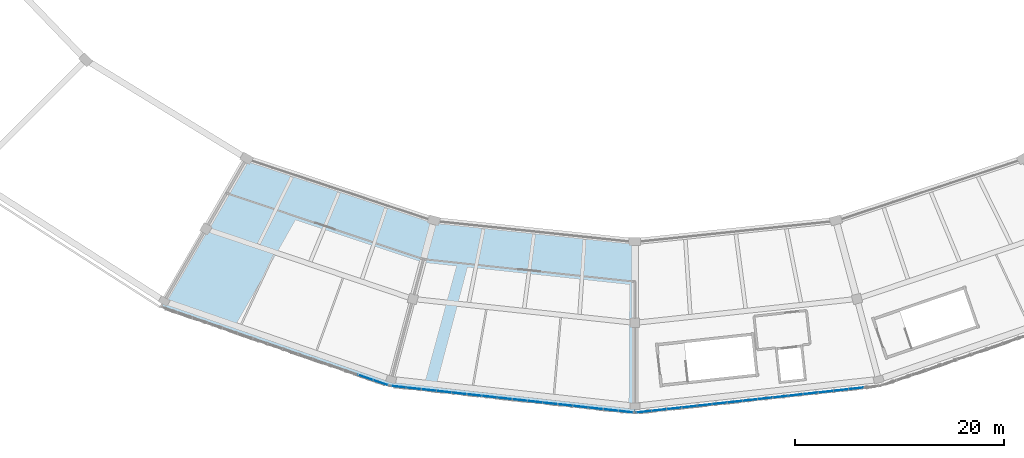
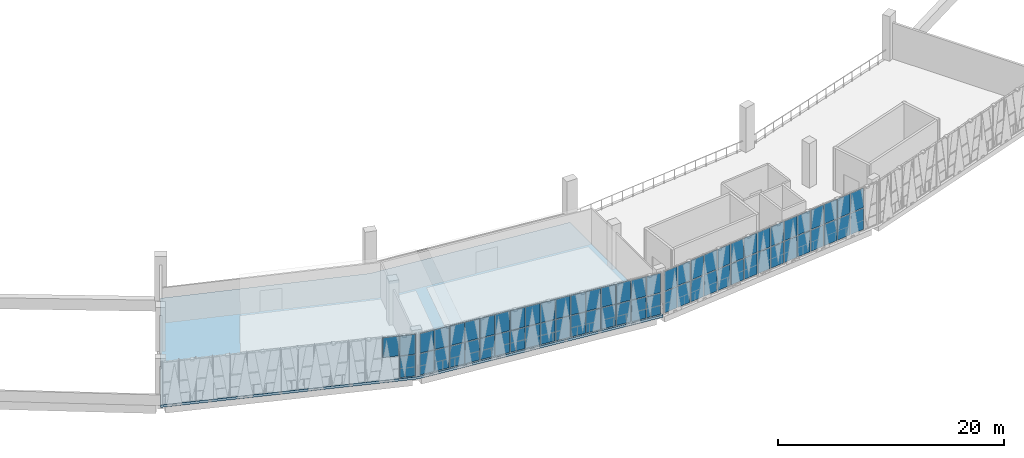
# One storey, part 34 of 64: 65 plates, 1 slab, 3 elements without a shape of their own.
"""IFC4 building model written with IfcOpenShell, lengths in metres."""

import ifcopenshell
import ifcopenshell.guid

model = None  # the IFC model being written
_history = None  # IfcOwnerHistory: only IFC2X3 demands one
_inside = {}  # id of a spatial element -> (the spatial element, [elements in it])
_under = {}  # id of a project, library or spatial element -> (it, [spatial elements below it])
_declared = {}  # id of a project -> (the project, [libraries it declares])
_typed = {}  # id of a type object -> (the type object, [elements of that type])
_made_of = {}  # id of a material, layer set ... -> (it, [elements and type objects made of it])


def new_model(schema):
    """Start an empty IFC model of exactly this schema.

    Asked for "IFC4X3", IfcOpenShell would pick the latest addendum, in which some entities
    have other attributes; the version numbers below select the first issue.
    IFC2X3 requires an IfcOwnerHistory on every rooted entity: one is made here for all.
    """
    global model, _history
    if schema == "IFC4X3":
        model = ifcopenshell.file(schema_version=(4, 3, 0, 0))
    else:
        model = ifcopenshell.file(schema=schema)
    _inside.clear()
    _under.clear()
    _declared.clear()
    _typed.clear()
    _made_of.clear()
    _history = None
    if model.schema == "IFC2X3":
        org = make("IfcOrganization", Name="unknown")
        user = make(
            "IfcPersonAndOrganization",
            ThePerson=make("IfcPerson", FamilyName="unknown"),
            TheOrganization=org,
        )
        app = make(
            "IfcApplication",
            ApplicationDeveloper=org,
            Version="unknown",
            ApplicationFullName="unknown",
            ApplicationIdentifier="unknown",
        )
        _history = make(
            "IfcOwnerHistory",
            OwningUser=user,
            OwningApplication=app,
            ChangeAction="ADDED",
            CreationDate=0,
        )
    return model


def make(cls, **values):
    """One entity of the class cls with the attributes given. An attribute that is None is left unset."""
    return model.create_entity(
        cls, **{name: value for name, value in values.items() if value is not None}
    )


def rooted(cls, **values):
    """An entity with a GlobalId (a new one), such as an element, a storey or a relation."""
    return make(cls, GlobalId=ifcopenshell.guid.new(), OwnerHistory=_history, **values)


def si_unit(unit_type, name, prefix=None):
    """IfcSIUnit, for example si_unit("LENGTHUNIT", "METRE", prefix="MILLI")."""
    return make("IfcSIUnit", UnitType=unit_type, Prefix=prefix, Name=name)


def assignment(units):
    """IfcUnitAssignment: the units of a project."""
    return None if units is None else make("IfcUnitAssignment", Units=units)


def point(xyz):
    """IfcCartesianPoint."""
    return None if xyz is None else make("IfcCartesianPoint", Coordinates=xyz)


def direction(xyz):
    """IfcDirection."""
    return None if xyz is None else make("IfcDirection", DirectionRatios=xyz)


def frame(location, z_axis=None, x_axis=None):
    """IfcAxis2Placement3D, a coordinate frame: its origin and axes. An axis left out is left unset."""
    return make(
        "IfcAxis2Placement3D",
        Location=point(location),
        Axis=direction(z_axis),
        RefDirection=direction(x_axis),
    )


def frame_2d(location, x_axis=None):
    """IfcAxis2Placement2D, a coordinate frame in the plane: its origin and x axis."""
    return make(
        "IfcAxis2Placement2D", Location=point(location), RefDirection=direction(x_axis)
    )


def origin():
    """The frame at (0, 0, 0) with its axes left unset."""
    return frame((0.0, 0.0, 0.0))


def origin_2d():
    """The frame at (0, 0) in the plane with its x axis left unset."""
    return frame_2d((0.0, 0.0))


def place(relative_to, where):
    """IfcLocalPlacement: puts the frame where relative to a parent placement (None: the world)."""
    return make(
        "IfcLocalPlacement", PlacementRelTo=relative_to, RelativePlacement=where
    )


def context(
    kind, dimensions, precision=None, world=None, true_north=None, identifier=None
):
    """IfcGeometricRepresentationContext, for example the 3D "Model" context."""
    return make(
        "IfcGeometricRepresentationContext",
        ContextIdentifier=identifier,
        ContextType=kind,
        CoordinateSpaceDimension=dimensions,
        Precision=precision,
        WorldCoordinateSystem=world,
        TrueNorth=true_north,
    )


def subcontext(parent, identifier, kind, view, scale=None):
    """IfcGeometricRepresentationSubContext, for example "Body" below "Model"."""
    return make(
        "IfcGeometricRepresentationSubContext",
        ContextIdentifier=identifier,
        ContextType=kind,
        ParentContext=parent,
        TargetScale=scale,
        TargetView=view,
    )


def project(units=None, contexts=None):
    """IfcProject with its units and contexts."""
    return rooted(
        "IfcProject",
        Name="project",
        RepresentationContexts=contexts,
        UnitsInContext=assignment(units),
    )


def spatial(cls, under=None, at=None, **own):
    """A site, building, storey or space (cls), placed at a placement, below another one or the project."""
    s = rooted(cls, ObjectPlacement=at, **own)
    if under is not None:
        _under.setdefault(under.id(), (under, []))[1].append(s)
    return s


def polyline(points):
    """IfcPolyline through the points."""
    return make("IfcPolyline", Points=[point(p) for p in points])


def profile(cls, at=None, kind="AREA", **sizes):
    """A parametric profile (cls). Its sizes go by their IFC names, for example OverallWidth=200.0."""
    return make(cls, ProfileType=kind, Position=at, **sizes)


def rectangle(**sizes):
    """IfcRectangleProfileDef."""
    return profile("IfcRectangleProfileDef", **sizes)


def outline(outer, holes=None, kind="AREA"):
    """IfcArbitraryClosedProfileDef: a profile drawn as a closed curve; with holes, ...WithVoids."""
    if holes is None:
        return make("IfcArbitraryClosedProfileDef", ProfileType=kind, OuterCurve=outer)
    return make(
        "IfcArbitraryProfileDefWithVoids",
        ProfileType=kind,
        OuterCurve=outer,
        InnerCurves=holes,
    )


def extrude(swept, where, along, depth):
    """IfcExtrudedAreaSolid: the profile swept, set in the frame where, extruded along a direction by depth."""
    return make(
        "IfcExtrudedAreaSolid",
        SweptArea=swept,
        Position=where,
        ExtrudedDirection=direction(along),
        Depth=depth,
    )


def shape(context_of_items, identifier, shape_type, items):
    """IfcShapeRepresentation: the items that make up one representation, for example the "Body"."""
    return make(
        "IfcShapeRepresentation",
        ContextOfItems=context_of_items,
        RepresentationIdentifier=identifier,
        RepresentationType=shape_type,
        Items=items,
    )


def material(Name=None, Category=None):
    """IfcMaterial."""
    return make("IfcMaterial", Name=Name, Category=Category)


def layer(
    of_material, thickness, ventilated=None, Name=None, Category=None, Priority=None
):
    """IfcMaterialLayer: one layer of a wall or slab, of a material (None: an air gap)."""
    return make(
        "IfcMaterialLayer",
        Material=of_material,
        LayerThickness=thickness,
        IsVentilated=ventilated,
        Name=Name,
        Category=Category,
        Priority=Priority,
    )


def layer_set(layers, Name=None):
    """IfcMaterialLayerSet."""
    return make("IfcMaterialLayerSet", MaterialLayers=layers, LayerSetName=Name)


def made_of(thing, what):
    """Note that an element or type object is made of a material, layer set ...; save() writes the relation."""
    if what is not None:
        _made_of.setdefault(what.id(), (what, []))[1].append(thing)
    return thing


def type_object(cls, material=None, **own):
    """A type object (cls), such as IfcWallType, which elements share."""
    return made_of(rooted(cls, **own), material)


def element(
    cls,
    number,
    at=None,
    inside=None,
    cuts=None,
    type_object=None,
    material=None,
    context=None,
    identifier="Body",
    shape_type=None,
    held_by="IfcProductDefinitionShape",
    body=None,
    shapes=None,
    **own,
):
    """One element of the class cls, such as IfcWall. Its Tag is "e" and its number.

    at: its placement. inside: the storey or other place that contains it. cuts: it is an
    opening in that element (IfcRelVoidsElement). A single representation is given by context,
    identifier, shape_type and body (its items); several are given by shapes. held_by: the class
    of the entity that holds the representations. save() writes the other relations.
    """
    e = rooted(cls, Tag="e%d" % number, ObjectPlacement=at, **own)
    if body is not None:
        shapes = [shape(context, identifier, shape_type, body)]
    if shapes is not None:
        e.Representation = make(held_by, Representations=shapes)
    if inside is not None:
        _inside.setdefault(inside.id(), (inside, []))[1].append(e)
    if cuts is not None:
        rooted(
            "IfcRelVoidsElement", RelatingBuildingElement=cuts, RelatedOpeningElement=e
        )
    if type_object is not None:
        _typed.setdefault(type_object.id(), (type_object, []))[1].append(e)
    return made_of(e, material)


def aggregate(whole, parts):
    """IfcRelAggregates: a whole, such as a stair, and the parts it consists of."""
    return rooted("IfcRelAggregates", RelatingObject=whole, RelatedObjects=parts)


def save(model, path):
    """Write the relations noted so far, then the file.

    IfcRelAggregates (storeys below a building ...), IfcRelContainedInSpatialStructure (elements
    in a storey), IfcRelDefinesByType, IfcRelAssociatesMaterial and IfcRelDeclares: one each for
    every whole, place, type object, material and project.
    """
    for whole, parts in _under.values():
        aggregate(whole, parts)
    for where, things in _inside.values():
        rooted(
            "IfcRelContainedInSpatialStructure",
            RelatedElements=things,
            RelatingStructure=where,
        )
    for kind, things in _typed.values():
        rooted("IfcRelDefinesByType", RelatedObjects=things, RelatingType=kind)
    for what, things in _made_of.values():
        rooted("IfcRelAssociatesMaterial", RelatedObjects=things, RelatingMaterial=what)
    for by, libraries in _declared.values():
        rooted("IfcRelDeclares", RelatingContext=by, RelatedDefinitions=libraries)
    model.write(path)


model = new_model("IFC4")

# Units and contexts
model_context = context("Model", 3, precision=1e-05, world=origin(), true_north=direction((0.0, 1.0)))
body_context = subcontext(model_context, "Body", "Model", "MODEL_VIEW")
ifc_project = project(units=[si_unit("LENGTHUNIT", "METRE"), si_unit("AREAUNIT", "SQUARE_METRE"), si_unit("VOLUMEUNIT", "CUBIC_METRE"), si_unit("PLANEANGLEUNIT", "RADIAN"), si_unit("MASSUNIT", "GRAM", prefix="KILO")], contexts=[model_context])

# Site, building, storey
site_placement = place(None, origin())
site = spatial("IfcSite", under=ifc_project, at=site_placement, CompositionType="ELEMENT")
building_placement = place(site_placement, origin())
building = spatial("IfcBuilding", under=site, at=building_placement, Name="Zevraka Park Crest Stadium", CompositionType="ELEMENT")
storey_placement = place(building_placement, frame((0.0, 0.0, 24.60009765625)))
storey = spatial("IfcBuildingStorey", under=building, at=storey_placement, Name="L05", CompositionType="ELEMENT", Elevation=24.60009765625)

# Curtain wall, plates
ifc_material_1 = material(Name="Anodised architectural aluminium and laminated safety glass", Category="aluminium")
curtain_wall_type_1 = type_object("IfcCurtainWallType", Name="CW21", PredefinedType="NOTDEFINED", material=ifc_material_1)
curtain_wall_1_placement = place(storey_placement, origin())
curtain_wall_1 = element("IfcCurtainWall", 1, at=curtain_wall_1_placement, inside=storey, type_object=curtain_wall_type_1, Name="Unitised Ring Curtain Wall CW21 L05-17", PredefinedType="NOTDEFINED")
ifc_material_2 = material(Name="Solar-control laminated double glazing", Category="glass")
ifc_layer_1 = layer(ifc_material_2, 0.031982421875)
ifc_layer_set_1 = layer_set([ifc_layer_1], Name="Solar-control laminated double glazing")
plate_type_1 = type_object("IfcPlateType", Name="CP21", PredefinedType="CURTAIN_PANEL", material=ifc_layer_set_1)
plate_1_placement = place(storey_placement, frame((89.33984375, 18.572021484375, 0.06982421875), z_axis=(0.0, 0.0, 1.0), x_axis=(0.994010156572, -0.109287733215, 0.0)))
plate_1 = element("IfcPlate", 2, at=plate_1_placement, type_object=plate_type_1, Name="CW21 panel 1.1", PredefinedType="CURTAIN_PANEL", context=body_context, shape_type="SweptSolid", body=[
    extrude(rectangle(XDim=1.3583984375, YDim=0.031982421875, at=origin_2d()), origin(), (0.0, 0.0, 1.0), 2.294921875),
])
plate_2_placement = place(storey_placement, frame((89.33984375, 18.572021484375, 2.43505859375), z_axis=(0.0, 0.0, 1.0), x_axis=(0.994010156572, -0.109287733215, 0.0)))
plate_2 = element("IfcPlate", 3, at=plate_2_placement, type_object=plate_type_1, Name="CW21 panel 1.2", PredefinedType="CURTAIN_PANEL", context=body_context, shape_type="SweptSolid", body=[
    extrude(rectangle(XDim=1.3583984375, YDim=0.031982421875, at=origin_2d()), origin(), (0.0, 0.0, 1.0), 2.114990234375),
])
plate_3_placement = place(storey_placement, frame((90.777099609375, 18.4140625, 0.06982421875), z_axis=(0.0, 0.0, 1.0), x_axis=(0.994010156572, -0.109287733215, 0.0)))
plate_3 = element("IfcPlate", 4, at=plate_3_placement, type_object=plate_type_1, Name="CW21 panel 2.1", PredefinedType="CURTAIN_PANEL", context=body_context, shape_type="SweptSolid", body=[
    extrude(rectangle(XDim=1.3935546875, YDim=0.031982421875, at=origin_2d()), origin(), (0.0, 0.0, 1.0), 2.294921875),
])
plate_4_placement = place(storey_placement, frame((90.777099609375, 18.4140625, 2.43505859375), z_axis=(0.0, 0.0, 1.0), x_axis=(0.994010156572, -0.109287733215, 0.0)))
plate_4 = element("IfcPlate", 5, at=plate_4_placement, type_object=plate_type_1, Name="CW21 panel 2.2", PredefinedType="CURTAIN_PANEL", context=body_context, shape_type="SweptSolid", body=[
    extrude(rectangle(XDim=1.3935546875, YDim=0.031982421875, at=origin_2d()), origin(), (0.0, 0.0, 1.0), 2.114990234375),
])
plate_5_placement = place(storey_placement, frame((92.231689453125, 18.254150390625, 0.06982421875), z_axis=(0.0, 0.0, 1.0), x_axis=(0.994010156572, -0.109287733215, 0.0)))
plate_5 = element("IfcPlate", 6, at=plate_5_placement, type_object=plate_type_1, Name="CW21 panel 3.1", PredefinedType="CURTAIN_PANEL", context=body_context, shape_type="SweptSolid", body=[
    extrude(rectangle(XDim=1.3935546875, YDim=0.031982421875, at=origin_2d()), origin(), (0.0, 0.0, 1.0), 2.294921875),
])
plate_6_placement = place(storey_placement, frame((92.231689453125, 18.254150390625, 2.43505859375), z_axis=(0.0, 0.0, 1.0), x_axis=(0.994010156572, -0.109287733215, 0.0)))
plate_6 = element("IfcPlate", 7, at=plate_6_placement, type_object=plate_type_1, Name="CW21 panel 3.2", PredefinedType="CURTAIN_PANEL", context=body_context, shape_type="SweptSolid", body=[
    extrude(rectangle(XDim=1.3935546875, YDim=0.031982421875, at=origin_2d()), origin(), (0.0, 0.0, 1.0), 2.114990234375),
])
plate_7_placement = place(storey_placement, frame((93.6865234375, 18.09423828125, 0.06982421875), z_axis=(0.0, 0.0, 1.0), x_axis=(0.994010156572, -0.109287733215, 0.0)))
plate_7 = element("IfcPlate", 8, at=plate_7_placement, type_object=plate_type_1, Name="CW21 panel 4.1", PredefinedType="CURTAIN_PANEL", context=body_context, shape_type="SweptSolid", body=[
    extrude(rectangle(XDim=1.3935546875, YDim=0.031982421875, at=origin_2d()), origin(), (0.0, 0.0, 1.0), 2.294921875),
])
plate_8_placement = place(storey_placement, frame((93.6865234375, 18.09423828125, 2.43505859375), z_axis=(0.0, 0.0, 1.0), x_axis=(0.994010156572, -0.109287733215, 0.0)))
plate_8 = element("IfcPlate", 9, at=plate_8_placement, type_object=plate_type_1, Name="CW21 panel 4.2", PredefinedType="CURTAIN_PANEL", context=body_context, shape_type="SweptSolid", body=[
    extrude(rectangle(XDim=1.3935546875, YDim=0.031982421875, at=origin_2d()), origin(), (0.0, 0.0, 1.0), 2.114990234375),
])
plate_9_placement = place(storey_placement, frame((95.14111328125, 17.934326171875, 0.06982421875), z_axis=(0.0, 0.0, 1.0), x_axis=(0.994010156572, -0.109287733215, 0.0)))
plate_9 = element("IfcPlate", 10, at=plate_9_placement, type_object=plate_type_1, Name="CW21 panel 5.1", PredefinedType="CURTAIN_PANEL", context=body_context, shape_type="SweptSolid", body=[
    extrude(rectangle(XDim=1.3935546875, YDim=0.031982421875, at=origin_2d()), origin(), (0.0, 0.0, 1.0), 2.294921875),
])
plate_10_placement = place(storey_placement, frame((95.14111328125, 17.934326171875, 2.43505859375), z_axis=(0.0, 0.0, 1.0), x_axis=(0.994010156572, -0.109287733215, 0.0)))
plate_10 = element("IfcPlate", 11, at=plate_10_placement, type_object=plate_type_1, Name="CW21 panel 5.2", PredefinedType="CURTAIN_PANEL", context=body_context, shape_type="SweptSolid", body=[
    extrude(rectangle(XDim=1.3935546875, YDim=0.031982421875, at=origin_2d()), origin(), (0.0, 0.0, 1.0), 2.114990234375),
])
plate_11_placement = place(storey_placement, frame((96.595703125, 17.7744140625, 0.06982421875), z_axis=(0.0, 0.0, 1.0), x_axis=(0.994010156572, -0.109287733215, 0.0)))
plate_11 = element("IfcPlate", 12, at=plate_11_placement, type_object=plate_type_1, Name="CW21 panel 6.1", PredefinedType="CURTAIN_PANEL", context=body_context, shape_type="SweptSolid", body=[
    extrude(rectangle(XDim=1.3935546875, YDim=0.031982421875, at=origin_2d()), origin(), (0.0, 0.0, 1.0), 2.294921875),
])
plate_12_placement = place(storey_placement, frame((96.595703125, 17.7744140625, 2.43505859375), z_axis=(0.0, 0.0, 1.0), x_axis=(0.994010156572, -0.109287733215, 0.0)))
plate_12 = element("IfcPlate", 13, at=plate_12_placement, type_object=plate_type_1, Name="CW21 panel 6.2", PredefinedType="CURTAIN_PANEL", context=body_context, shape_type="SweptSolid", body=[
    extrude(rectangle(XDim=1.3935546875, YDim=0.031982421875, at=origin_2d()), origin(), (0.0, 0.0, 1.0), 2.114990234375),
])
plate_13_placement = place(storey_placement, frame((98.050537109375, 17.614501953125, 0.06982421875), z_axis=(0.0, 0.0, 1.0), x_axis=(0.994010156572, -0.109287733215, 0.0)))
plate_13 = element("IfcPlate", 14, at=plate_13_placement, type_object=plate_type_1, Name="CW21 panel 7.1", PredefinedType="CURTAIN_PANEL", context=body_context, shape_type="SweptSolid", body=[
    extrude(rectangle(XDim=1.3935546875, YDim=0.031982421875, at=origin_2d()), origin(), (0.0, 0.0, 1.0), 2.294921875),
])
plate_14_placement = place(storey_placement, frame((98.050537109375, 17.614501953125, 2.43505859375), z_axis=(0.0, 0.0, 1.0), x_axis=(0.994010156572, -0.109287733215, 0.0)))
plate_14 = element("IfcPlate", 15, at=plate_14_placement, type_object=plate_type_1, Name="CW21 panel 7.2", PredefinedType="CURTAIN_PANEL", context=body_context, shape_type="SweptSolid", body=[
    extrude(rectangle(XDim=1.3935546875, YDim=0.031982421875, at=origin_2d()), origin(), (0.0, 0.0, 1.0), 2.114990234375),
])
plate_15_placement = place(storey_placement, frame((99.505126953125, 17.45458984375, 0.06982421875), z_axis=(0.0, 0.0, 1.0), x_axis=(0.994010156572, -0.109287733215, 0.0)))
plate_15 = element("IfcPlate", 16, at=plate_15_placement, type_object=plate_type_1, Name="CW21 panel 8.1", PredefinedType="CURTAIN_PANEL", context=body_context, shape_type="SweptSolid", body=[
    extrude(rectangle(XDim=1.3935546875, YDim=0.031982421875, at=origin_2d()), origin(), (0.0, 0.0, 1.0), 2.294921875),
])
plate_16_placement = place(storey_placement, frame((99.505126953125, 17.45458984375, 2.43505859375), z_axis=(0.0, 0.0, 1.0), x_axis=(0.994010156572, -0.109287733215, 0.0)))
plate_16 = element("IfcPlate", 17, at=plate_16_placement, type_object=plate_type_1, Name="CW21 panel 8.2", PredefinedType="CURTAIN_PANEL", context=body_context, shape_type="SweptSolid", body=[
    extrude(rectangle(XDim=1.3935546875, YDim=0.031982421875, at=origin_2d()), origin(), (0.0, 0.0, 1.0), 2.114990234375),
])
plate_17_placement = place(storey_placement, frame((100.9599609375, 17.29443359375, 0.06982421875), z_axis=(0.0, 0.0, 1.0), x_axis=(0.994010156572, -0.109287733215, 0.0)))
plate_17 = element("IfcPlate", 18, at=plate_17_placement, type_object=plate_type_1, Name="CW21 panel 9.1", PredefinedType="CURTAIN_PANEL", context=body_context, shape_type="SweptSolid", body=[
    extrude(rectangle(XDim=1.3935546875, YDim=0.031982421875, at=origin_2d()), origin(), (0.0, 0.0, 1.0), 2.294921875),
])
plate_18_placement = place(storey_placement, frame((100.9599609375, 17.29443359375, 2.43505859375), z_axis=(0.0, 0.0, 1.0), x_axis=(0.994010156572, -0.109287733215, 0.0)))
plate_18 = element("IfcPlate", 19, at=plate_18_placement, type_object=plate_type_1, Name="CW21 panel 9.2", PredefinedType="CURTAIN_PANEL", context=body_context, shape_type="SweptSolid", body=[
    extrude(rectangle(XDim=1.3935546875, YDim=0.031982421875, at=origin_2d()), origin(), (0.0, 0.0, 1.0), 2.114990234375),
])
plate_19_placement = place(storey_placement, frame((102.41455078125, 17.134521484375, 0.06982421875), z_axis=(0.0, 0.0, 1.0), x_axis=(0.994010156572, -0.109287733215, 0.0)))
plate_19 = element("IfcPlate", 20, at=plate_19_placement, type_object=plate_type_1, Name="CW21 panel 10.1", PredefinedType="CURTAIN_PANEL", context=body_context, shape_type="SweptSolid", body=[
    extrude(rectangle(XDim=1.3935546875, YDim=0.031982421875, at=origin_2d()), origin(), (0.0, 0.0, 1.0), 2.294921875),
])
plate_20_placement = place(storey_placement, frame((102.41455078125, 17.134521484375, 2.43505859375), z_axis=(0.0, 0.0, 1.0), x_axis=(0.994010156572, -0.109287733215, 0.0)))
plate_20 = element("IfcPlate", 21, at=plate_20_placement, type_object=plate_type_1, Name="CW21 panel 10.2", PredefinedType="CURTAIN_PANEL", context=body_context, shape_type="SweptSolid", body=[
    extrude(rectangle(XDim=1.3935546875, YDim=0.031982421875, at=origin_2d()), origin(), (0.0, 0.0, 1.0), 2.114990234375),
])
plate_21_placement = place(storey_placement, frame((103.869140625, 16.974609375, 0.06982421875), z_axis=(0.0, 0.0, 1.0), x_axis=(0.994010156572, -0.109287733215, 0.0)))
plate_21 = element("IfcPlate", 22, at=plate_21_placement, type_object=plate_type_1, Name="CW21 panel 11.1", PredefinedType="CURTAIN_PANEL", context=body_context, shape_type="SweptSolid", body=[
    extrude(rectangle(XDim=1.3935546875, YDim=0.031982421875, at=origin_2d()), origin(), (0.0, 0.0, 1.0), 2.294921875),
])
plate_22_placement = place(storey_placement, frame((103.869140625, 16.974609375, 2.43505859375), z_axis=(0.0, 0.0, 1.0), x_axis=(0.994010156572, -0.109287733215, 0.0)))
plate_22 = element("IfcPlate", 23, at=plate_22_placement, type_object=plate_type_1, Name="CW21 panel 11.2", PredefinedType="CURTAIN_PANEL", context=body_context, shape_type="SweptSolid", body=[
    extrude(rectangle(XDim=1.3935546875, YDim=0.031982421875, at=origin_2d()), origin(), (0.0, 0.0, 1.0), 2.114990234375),
])
plate_23_placement = place(storey_placement, frame((105.323974609375, 16.814697265625, 0.06982421875), z_axis=(0.0, 0.0, 1.0), x_axis=(0.994010156572, -0.109287733215, 0.0)))
plate_23 = element("IfcPlate", 24, at=plate_23_placement, type_object=plate_type_1, Name="CW21 panel 12.1", PredefinedType="CURTAIN_PANEL", context=body_context, shape_type="SweptSolid", body=[
    extrude(rectangle(XDim=1.3935546875, YDim=0.031982421875, at=origin_2d()), origin(), (0.0, 0.0, 1.0), 2.294921875),
])
plate_24_placement = place(storey_placement, frame((105.323974609375, 16.814697265625, 2.43505859375), z_axis=(0.0, 0.0, 1.0), x_axis=(0.994010156572, -0.109287733215, 0.0)))
plate_24 = element("IfcPlate", 25, at=plate_24_placement, type_object=plate_type_1, Name="CW21 panel 12.2", PredefinedType="CURTAIN_PANEL", context=body_context, shape_type="SweptSolid", body=[
    extrude(rectangle(XDim=1.3935546875, YDim=0.031982421875, at=origin_2d()), origin(), (0.0, 0.0, 1.0), 2.114990234375),
])
plate_25_placement = place(storey_placement, frame((106.778564453125, 16.65478515625, 0.06982421875), z_axis=(0.0, 0.0, 1.0), x_axis=(0.994010156572, -0.109287733215, 0.0)))
plate_25 = element("IfcPlate", 26, at=plate_25_placement, type_object=plate_type_1, Name="CW21 panel 13.1", PredefinedType="CURTAIN_PANEL", context=body_context, shape_type="SweptSolid", body=[
    extrude(rectangle(XDim=1.3935546875, YDim=0.031982421875, at=origin_2d()), origin(), (0.0, 0.0, 1.0), 2.294921875),
])
plate_26_placement = place(storey_placement, frame((106.778564453125, 16.65478515625, 2.43505859375), z_axis=(0.0, 0.0, 1.0), x_axis=(0.994010156572, -0.109287733215, 0.0)))
plate_26 = element("IfcPlate", 27, at=plate_26_placement, type_object=plate_type_1, Name="CW21 panel 13.2", PredefinedType="CURTAIN_PANEL", context=body_context, shape_type="SweptSolid", body=[
    extrude(rectangle(XDim=1.3935546875, YDim=0.031982421875, at=origin_2d()), origin(), (0.0, 0.0, 1.0), 2.114990234375),
])
plate_27_placement = place(storey_placement, frame((108.2333984375, 16.494873046875, 0.06982421875), z_axis=(0.0, 0.0, 1.0), x_axis=(0.994010156572, -0.109287733215, 0.0)))
plate_27 = element("IfcPlate", 28, at=plate_27_placement, type_object=plate_type_1, Name="CW21 panel 14.1", PredefinedType="CURTAIN_PANEL", context=body_context, shape_type="SweptSolid", body=[
    extrude(rectangle(XDim=1.3935546875, YDim=0.031982421875, at=origin_2d()), origin(), (0.0, 0.0, 1.0), 2.294921875),
])
plate_28_placement = place(storey_placement, frame((108.2333984375, 16.494873046875, 2.43505859375), z_axis=(0.0, 0.0, 1.0), x_axis=(0.994010156572, -0.109287733215, 0.0)))
plate_28 = element("IfcPlate", 29, at=plate_28_placement, type_object=plate_type_1, Name="CW21 panel 14.2", PredefinedType="CURTAIN_PANEL", context=body_context, shape_type="SweptSolid", body=[
    extrude(rectangle(XDim=1.3935546875, YDim=0.031982421875, at=origin_2d()), origin(), (0.0, 0.0, 1.0), 2.114990234375),
])
plate_29_placement = place(storey_placement, frame((109.68798828125, 16.3349609375, 0.06982421875), z_axis=(0.0, 0.0, 1.0), x_axis=(0.994010156572, -0.109287733215, 0.0)))
plate_29 = element("IfcPlate", 30, at=plate_29_placement, type_object=plate_type_1, Name="CW21 panel 15.1", PredefinedType="CURTAIN_PANEL", context=body_context, shape_type="SweptSolid", body=[
    extrude(rectangle(XDim=1.3935546875, YDim=0.031982421875, at=origin_2d()), origin(), (0.0, 0.0, 1.0), 2.294921875),
])
plate_30_placement = place(storey_placement, frame((109.68798828125, 16.3349609375, 2.43505859375), z_axis=(0.0, 0.0, 1.0), x_axis=(0.994010156572, -0.109287733215, 0.0)))
plate_30 = element("IfcPlate", 31, at=plate_30_placement, type_object=plate_type_1, Name="CW21 panel 15.2", PredefinedType="CURTAIN_PANEL", context=body_context, shape_type="SweptSolid", body=[
    extrude(rectangle(XDim=1.3935546875, YDim=0.031982421875, at=origin_2d()), origin(), (0.0, 0.0, 1.0), 2.114990234375),
])
plate_31_placement = place(storey_placement, frame((111.125244140625, 16.177001953125, 0.06982421875), z_axis=(0.0, 0.0, 1.0), x_axis=(0.994010156572, -0.109287733215, 0.0)))
plate_31 = element("IfcPlate", 32, at=plate_31_placement, type_object=plate_type_1, Name="CW21 panel 16.1", PredefinedType="CURTAIN_PANEL", context=body_context, shape_type="SweptSolid", body=[
    extrude(rectangle(XDim=1.3583984375, YDim=0.031982421875, at=origin_2d()), origin(), (0.0, 0.0, 1.0), 2.294921875),
])
plate_32_placement = place(storey_placement, frame((111.125244140625, 16.177001953125, 2.43505859375), z_axis=(0.0, 0.0, 1.0), x_axis=(0.994010156572, -0.109287733215, 0.0)))
plate_32 = element("IfcPlate", 33, at=plate_32_placement, type_object=plate_type_1, Name="CW21 panel 16.2", PredefinedType="CURTAIN_PANEL", context=body_context, shape_type="SweptSolid", body=[
    extrude(rectangle(XDim=1.3583984375, YDim=0.031982421875, at=origin_2d()), origin(), (0.0, 0.0, 1.0), 2.114990234375),
])
aggregate(curtain_wall_1, [plate_1, plate_2, plate_3, plate_4, plate_5, plate_6, plate_7, plate_8, plate_9, plate_10, plate_11, plate_12, plate_13, plate_14, plate_15, plate_16, plate_17, plate_18, plate_19, plate_20, plate_21, plate_22, plate_23, plate_24, plate_25, plate_26, plate_27, plate_28, plate_29, plate_30, plate_31, plate_32])

curtain_wall_2_placement = place(storey_placement, origin())
curtain_wall_2 = element("IfcCurtainWall", 34, at=curtain_wall_2_placement, inside=storey, type_object=curtain_wall_type_1, Name="Unitised Ring Curtain Wall CW21 L05-18", PredefinedType="NOTDEFINED")
plate_33_placement = place(storey_placement, frame((112.874755859375, 16.177001953125, 0.06982421875), z_axis=(0.0, 0.0, 1.0), x_axis=(0.994010156572, 0.109287733215, 0.0)))
plate_33 = element("IfcPlate", 35, at=plate_33_placement, type_object=plate_type_1, Name="CW21 panel 1.1", PredefinedType="CURTAIN_PANEL", context=body_context, shape_type="SweptSolid", body=[
    extrude(rectangle(XDim=1.3583984375, YDim=0.031982421875, at=origin_2d()), origin(), (0.0, 0.0, 1.0), 2.294921875),
])
plate_34_placement = place(storey_placement, frame((112.874755859375, 16.177001953125, 2.43505859375), z_axis=(0.0, 0.0, 1.0), x_axis=(0.994010156572, 0.109287733215, 0.0)))
plate_34 = element("IfcPlate", 36, at=plate_34_placement, type_object=plate_type_1, Name="CW21 panel 1.2", PredefinedType="CURTAIN_PANEL", context=body_context, shape_type="SweptSolid", body=[
    extrude(rectangle(XDim=1.3583984375, YDim=0.031982421875, at=origin_2d()), origin(), (0.0, 0.0, 1.0), 2.114990234375),
])
plate_35_placement = place(storey_placement, frame((114.31201171875, 16.3349609375, 0.06982421875), z_axis=(0.0, 0.0, 1.0), x_axis=(0.994010156572, 0.109287733215, 0.0)))
plate_35 = element("IfcPlate", 37, at=plate_35_placement, type_object=plate_type_1, Name="CW21 panel 2.1", PredefinedType="CURTAIN_PANEL", context=body_context, shape_type="SweptSolid", body=[
    extrude(rectangle(XDim=1.3935546875, YDim=0.031982421875, at=origin_2d()), origin(), (0.0, 0.0, 1.0), 2.294921875),
])
plate_36_placement = place(storey_placement, frame((114.31201171875, 16.3349609375, 2.43505859375), z_axis=(0.0, 0.0, 1.0), x_axis=(0.994010156572, 0.109287733215, 0.0)))
plate_36 = element("IfcPlate", 38, at=plate_36_placement, type_object=plate_type_1, Name="CW21 panel 2.2", PredefinedType="CURTAIN_PANEL", context=body_context, shape_type="SweptSolid", body=[
    extrude(rectangle(XDim=1.3935546875, YDim=0.031982421875, at=origin_2d()), origin(), (0.0, 0.0, 1.0), 2.114990234375),
])
plate_37_placement = place(storey_placement, frame((115.7666015625, 16.494873046875, 0.06982421875), z_axis=(0.0, 0.0, 1.0), x_axis=(0.994010156572, 0.109287733215, 0.0)))
plate_37 = element("IfcPlate", 39, at=plate_37_placement, type_object=plate_type_1, Name="CW21 panel 3.1", PredefinedType="CURTAIN_PANEL", context=body_context, shape_type="SweptSolid", body=[
    extrude(rectangle(XDim=1.3935546875, YDim=0.031982421875, at=origin_2d()), origin(), (0.0, 0.0, 1.0), 2.294921875),
])
plate_38_placement = place(storey_placement, frame((115.7666015625, 16.494873046875, 2.43505859375), z_axis=(0.0, 0.0, 1.0), x_axis=(0.994010156572, 0.109287733215, 0.0)))
plate_38 = element("IfcPlate", 40, at=plate_38_placement, type_object=plate_type_1, Name="CW21 panel 3.2", PredefinedType="CURTAIN_PANEL", context=body_context, shape_type="SweptSolid", body=[
    extrude(rectangle(XDim=1.3935546875, YDim=0.031982421875, at=origin_2d()), origin(), (0.0, 0.0, 1.0), 2.114990234375),
])
plate_39_placement = place(storey_placement, frame((117.221435546875, 16.65478515625, 0.06982421875), z_axis=(0.0, 0.0, 1.0), x_axis=(0.994010156572, 0.109287733215, 0.0)))
plate_39 = element("IfcPlate", 41, at=plate_39_placement, type_object=plate_type_1, Name="CW21 panel 4.1", PredefinedType="CURTAIN_PANEL", context=body_context, shape_type="SweptSolid", body=[
    extrude(rectangle(XDim=1.3935546875, YDim=0.031982421875, at=origin_2d()), origin(), (0.0, 0.0, 1.0), 2.294921875),
])
plate_40_placement = place(storey_placement, frame((117.221435546875, 16.65478515625, 2.43505859375), z_axis=(0.0, 0.0, 1.0), x_axis=(0.994010156572, 0.109287733215, 0.0)))
plate_40 = element("IfcPlate", 42, at=plate_40_placement, type_object=plate_type_1, Name="CW21 panel 4.2", PredefinedType="CURTAIN_PANEL", context=body_context, shape_type="SweptSolid", body=[
    extrude(rectangle(XDim=1.3935546875, YDim=0.031982421875, at=origin_2d()), origin(), (0.0, 0.0, 1.0), 2.114990234375),
])
plate_41_placement = place(storey_placement, frame((118.676025390625, 16.814697265625, 0.06982421875), z_axis=(0.0, 0.0, 1.0), x_axis=(0.994010156572, 0.109287733215, 0.0)))
plate_41 = element("IfcPlate", 43, at=plate_41_placement, type_object=plate_type_1, Name="CW21 panel 5.1", PredefinedType="CURTAIN_PANEL", context=body_context, shape_type="SweptSolid", body=[
    extrude(rectangle(XDim=1.3935546875, YDim=0.031982421875, at=origin_2d()), origin(), (0.0, 0.0, 1.0), 2.294921875),
])
plate_42_placement = place(storey_placement, frame((118.676025390625, 16.814697265625, 2.43505859375), z_axis=(0.0, 0.0, 1.0), x_axis=(0.994010156572, 0.109287733215, 0.0)))
plate_42 = element("IfcPlate", 44, at=plate_42_placement, type_object=plate_type_1, Name="CW21 panel 5.2", PredefinedType="CURTAIN_PANEL", context=body_context, shape_type="SweptSolid", body=[
    extrude(rectangle(XDim=1.3935546875, YDim=0.031982421875, at=origin_2d()), origin(), (0.0, 0.0, 1.0), 2.114990234375),
])
plate_43_placement = place(storey_placement, frame((120.130859375, 16.974609375, 0.06982421875), z_axis=(0.0, 0.0, 1.0), x_axis=(0.994010156572, 0.109287733215, 0.0)))
plate_43 = element("IfcPlate", 45, at=plate_43_placement, type_object=plate_type_1, Name="CW21 panel 6.1", PredefinedType="CURTAIN_PANEL", context=body_context, shape_type="SweptSolid", body=[
    extrude(rectangle(XDim=1.3935546875, YDim=0.031982421875, at=origin_2d()), origin(), (0.0, 0.0, 1.0), 2.294921875),
])
plate_44_placement = place(storey_placement, frame((120.130859375, 16.974609375, 2.43505859375), z_axis=(0.0, 0.0, 1.0), x_axis=(0.994010156572, 0.109287733215, 0.0)))
plate_44 = element("IfcPlate", 46, at=plate_44_placement, type_object=plate_type_1, Name="CW21 panel 6.2", PredefinedType="CURTAIN_PANEL", context=body_context, shape_type="SweptSolid", body=[
    extrude(rectangle(XDim=1.3935546875, YDim=0.031982421875, at=origin_2d()), origin(), (0.0, 0.0, 1.0), 2.114990234375),
])
plate_45_placement = place(storey_placement, frame((121.58544921875, 17.134521484375, 0.06982421875), z_axis=(0.0, 0.0, 1.0), x_axis=(0.994010156572, 0.109287733215, 0.0)))
plate_45 = element("IfcPlate", 47, at=plate_45_placement, type_object=plate_type_1, Name="CW21 panel 7.1", PredefinedType="CURTAIN_PANEL", context=body_context, shape_type="SweptSolid", body=[
    extrude(rectangle(XDim=1.3935546875, YDim=0.031982421875, at=origin_2d()), origin(), (0.0, 0.0, 1.0), 2.294921875),
])
plate_46_placement = place(storey_placement, frame((121.58544921875, 17.134521484375, 2.43505859375), z_axis=(0.0, 0.0, 1.0), x_axis=(0.994010156572, 0.109287733215, 0.0)))
plate_46 = element("IfcPlate", 48, at=plate_46_placement, type_object=plate_type_1, Name="CW21 panel 7.2", PredefinedType="CURTAIN_PANEL", context=body_context, shape_type="SweptSolid", body=[
    extrude(rectangle(XDim=1.3935546875, YDim=0.031982421875, at=origin_2d()), origin(), (0.0, 0.0, 1.0), 2.114990234375),
])
plate_47_placement = place(storey_placement, frame((123.0400390625, 17.29443359375, 0.06982421875), z_axis=(0.0, 0.0, 1.0), x_axis=(0.994010156572, 0.109287733215, 0.0)))
plate_47 = element("IfcPlate", 49, at=plate_47_placement, type_object=plate_type_1, Name="CW21 panel 8.1", PredefinedType="CURTAIN_PANEL", context=body_context, shape_type="SweptSolid", body=[
    extrude(rectangle(XDim=1.3935546875, YDim=0.031982421875, at=origin_2d()), origin(), (0.0, 0.0, 1.0), 2.294921875),
])
plate_48_placement = place(storey_placement, frame((123.0400390625, 17.29443359375, 2.43505859375), z_axis=(0.0, 0.0, 1.0), x_axis=(0.994010156572, 0.109287733215, 0.0)))
plate_48 = element("IfcPlate", 50, at=plate_48_placement, type_object=plate_type_1, Name="CW21 panel 8.2", PredefinedType="CURTAIN_PANEL", context=body_context, shape_type="SweptSolid", body=[
    extrude(rectangle(XDim=1.3935546875, YDim=0.031982421875, at=origin_2d()), origin(), (0.0, 0.0, 1.0), 2.114990234375),
])
plate_49_placement = place(storey_placement, frame((124.494873046875, 17.45458984375, 0.06982421875), z_axis=(0.0, 0.0, 1.0), x_axis=(0.994010156572, 0.109287733215, 0.0)))
plate_49 = element("IfcPlate", 51, at=plate_49_placement, type_object=plate_type_1, Name="CW21 panel 9.1", PredefinedType="CURTAIN_PANEL", context=body_context, shape_type="SweptSolid", body=[
    extrude(rectangle(XDim=1.3935546875, YDim=0.031982421875, at=origin_2d()), origin(), (0.0, 0.0, 1.0), 2.294921875),
])
plate_50_placement = place(storey_placement, frame((124.494873046875, 17.45458984375, 2.43505859375), z_axis=(0.0, 0.0, 1.0), x_axis=(0.994010156572, 0.109287733215, 0.0)))
plate_50 = element("IfcPlate", 52, at=plate_50_placement, type_object=plate_type_1, Name="CW21 panel 9.2", PredefinedType="CURTAIN_PANEL", context=body_context, shape_type="SweptSolid", body=[
    extrude(rectangle(XDim=1.3935546875, YDim=0.031982421875, at=origin_2d()), origin(), (0.0, 0.0, 1.0), 2.114990234375),
])
plate_51_placement = place(storey_placement, frame((125.949462890625, 17.614501953125, 0.06982421875), z_axis=(0.0, 0.0, 1.0), x_axis=(0.994010156572, 0.109287733215, 0.0)))
plate_51 = element("IfcPlate", 53, at=plate_51_placement, type_object=plate_type_1, Name="CW21 panel 10.1", PredefinedType="CURTAIN_PANEL", context=body_context, shape_type="SweptSolid", body=[
    extrude(rectangle(XDim=1.3935546875, YDim=0.031982421875, at=origin_2d()), origin(), (0.0, 0.0, 1.0), 2.294921875),
])
plate_52_placement = place(storey_placement, frame((125.949462890625, 17.614501953125, 2.43505859375), z_axis=(0.0, 0.0, 1.0), x_axis=(0.994010156572, 0.109287733215, 0.0)))
plate_52 = element("IfcPlate", 54, at=plate_52_placement, type_object=plate_type_1, Name="CW21 panel 10.2", PredefinedType="CURTAIN_PANEL", context=body_context, shape_type="SweptSolid", body=[
    extrude(rectangle(XDim=1.3935546875, YDim=0.031982421875, at=origin_2d()), origin(), (0.0, 0.0, 1.0), 2.114990234375),
])
plate_53_placement = place(storey_placement, frame((127.404296875, 17.7744140625, 0.06982421875), z_axis=(0.0, 0.0, 1.0), x_axis=(0.994010156572, 0.109287733215, 0.0)))
plate_53 = element("IfcPlate", 55, at=plate_53_placement, type_object=plate_type_1, Name="CW21 panel 11.1", PredefinedType="CURTAIN_PANEL", context=body_context, shape_type="SweptSolid", body=[
    extrude(rectangle(XDim=1.3935546875, YDim=0.031982421875, at=origin_2d()), origin(), (0.0, 0.0, 1.0), 2.294921875),
])
plate_54_placement = place(storey_placement, frame((127.404296875, 17.7744140625, 2.43505859375), z_axis=(0.0, 0.0, 1.0), x_axis=(0.994010156572, 0.109287733215, 0.0)))
plate_54 = element("IfcPlate", 56, at=plate_54_placement, type_object=plate_type_1, Name="CW21 panel 11.2", PredefinedType="CURTAIN_PANEL", context=body_context, shape_type="SweptSolid", body=[
    extrude(rectangle(XDim=1.3935546875, YDim=0.031982421875, at=origin_2d()), origin(), (0.0, 0.0, 1.0), 2.114990234375),
])
plate_55_placement = place(storey_placement, frame((128.85888671875, 17.934326171875, 0.06982421875), z_axis=(0.0, 0.0, 1.0), x_axis=(0.994010156572, 0.109287733215, 0.0)))
plate_55 = element("IfcPlate", 57, at=plate_55_placement, type_object=plate_type_1, Name="CW21 panel 12.1", PredefinedType="CURTAIN_PANEL", context=body_context, shape_type="SweptSolid", body=[
    extrude(rectangle(XDim=1.3935546875, YDim=0.031982421875, at=origin_2d()), origin(), (0.0, 0.0, 1.0), 2.294921875),
])
plate_56_placement = place(storey_placement, frame((128.85888671875, 17.934326171875, 2.43505859375), z_axis=(0.0, 0.0, 1.0), x_axis=(0.994010156572, 0.109287733215, 0.0)))
plate_56 = element("IfcPlate", 58, at=plate_56_placement, type_object=plate_type_1, Name="CW21 panel 12.2", PredefinedType="CURTAIN_PANEL", context=body_context, shape_type="SweptSolid", body=[
    extrude(rectangle(XDim=1.3935546875, YDim=0.031982421875, at=origin_2d()), origin(), (0.0, 0.0, 1.0), 2.114990234375),
])
plate_57_placement = place(storey_placement, frame((130.3134765625, 18.09423828125, 0.06982421875), z_axis=(0.0, 0.0, 1.0), x_axis=(0.994010156572, 0.109287733215, 0.0)))
plate_57 = element("IfcPlate", 59, at=plate_57_placement, type_object=plate_type_1, Name="CW21 panel 13.1", PredefinedType="CURTAIN_PANEL", context=body_context, shape_type="SweptSolid", body=[
    extrude(rectangle(XDim=1.3935546875, YDim=0.031982421875, at=origin_2d()), origin(), (0.0, 0.0, 1.0), 2.294921875),
])
plate_58_placement = place(storey_placement, frame((130.3134765625, 18.09423828125, 2.43505859375), z_axis=(0.0, 0.0, 1.0), x_axis=(0.994010156572, 0.109287733215, 0.0)))
plate_58 = element("IfcPlate", 60, at=plate_58_placement, type_object=plate_type_1, Name="CW21 panel 13.2", PredefinedType="CURTAIN_PANEL", context=body_context, shape_type="SweptSolid", body=[
    extrude(rectangle(XDim=1.3935546875, YDim=0.031982421875, at=origin_2d()), origin(), (0.0, 0.0, 1.0), 2.114990234375),
])
plate_59_placement = place(storey_placement, frame((131.768310546875, 18.254150390625, 0.06982421875), z_axis=(0.0, 0.0, 1.0), x_axis=(0.994010156572, 0.109287733215, 0.0)))
plate_59 = element("IfcPlate", 61, at=plate_59_placement, type_object=plate_type_1, Name="CW21 panel 14.1", PredefinedType="CURTAIN_PANEL", context=body_context, shape_type="SweptSolid", body=[
    extrude(rectangle(XDim=1.3935546875, YDim=0.031982421875, at=origin_2d()), origin(), (0.0, 0.0, 1.0), 2.294921875),
])
plate_60_placement = place(storey_placement, frame((131.768310546875, 18.254150390625, 2.43505859375), z_axis=(0.0, 0.0, 1.0), x_axis=(0.994010156572, 0.109287733215, 0.0)))
plate_60 = element("IfcPlate", 62, at=plate_60_placement, type_object=plate_type_1, Name="CW21 panel 14.2", PredefinedType="CURTAIN_PANEL", context=body_context, shape_type="SweptSolid", body=[
    extrude(rectangle(XDim=1.3935546875, YDim=0.031982421875, at=origin_2d()), origin(), (0.0, 0.0, 1.0), 2.114990234375),
])
plate_61_placement = place(storey_placement, frame((133.222900390625, 18.4140625, 0.06982421875), z_axis=(0.0, 0.0, 1.0), x_axis=(0.994010156572, 0.109287733215, 0.0)))
plate_61 = element("IfcPlate", 63, at=plate_61_placement, type_object=plate_type_1, Name="CW21 panel 15.1", PredefinedType="CURTAIN_PANEL", context=body_context, shape_type="SweptSolid", body=[
    extrude(rectangle(XDim=1.3935546875, YDim=0.031982421875, at=origin_2d()), origin(), (0.0, 0.0, 1.0), 2.294921875),
])
plate_62_placement = place(storey_placement, frame((133.222900390625, 18.4140625, 2.43505859375), z_axis=(0.0, 0.0, 1.0), x_axis=(0.994010156572, 0.109287733215, 0.0)))
plate_62 = element("IfcPlate", 64, at=plate_62_placement, type_object=plate_type_1, Name="CW21 panel 15.2", PredefinedType="CURTAIN_PANEL", context=body_context, shape_type="SweptSolid", body=[
    extrude(rectangle(XDim=1.3935546875, YDim=0.031982421875, at=origin_2d()), origin(), (0.0, 0.0, 1.0), 2.114990234375),
])
aggregate(curtain_wall_2, [plate_33, plate_34, plate_35, plate_36, plate_37, plate_38, plate_39, plate_40, plate_41, plate_42, plate_43, plate_44, plate_45, plate_46, plate_47, plate_48, plate_49, plate_50, plate_51, plate_52, plate_53, plate_54, plate_55, plate_56, plate_57, plate_58, plate_59, plate_60, plate_61, plate_62])

ifc_material_3 = material(Name="Anodised architectural aluminium and laminated safety glass", Category="aluminium")
curtain_wall_type_2 = type_object("IfcCurtainWallType", Name="CW22", PredefinedType="NOTDEFINED", material=ifc_material_3)
curtain_wall_3_placement = place(storey_placement, origin())
curtain_wall_3 = element("IfcCurtainWall", 65, at=curtain_wall_3_placement, inside=storey, type_object=curtain_wall_type_2, Name="Unitised Ring Curtain Wall CW22 L05-16", PredefinedType="NOTDEFINED")
ifc_material_4 = material(Name="Solar-control laminated double glazing", Category="glass")
ifc_layer_2 = layer(ifc_material_4, 0.031982421875)
ifc_layer_set_2 = layer_set([ifc_layer_2], Name="Solar-control laminated double glazing")
plate_type_2 = type_object("IfcPlateType", Name="CP22", PredefinedType="CURTAIN_PANEL", material=ifc_layer_set_2)
plate_63_placement = place(storey_placement, frame((86.172607421875, 19.461181640625, 2.429931640625), z_axis=(0.0, 0.0, 1.0), x_axis=(0.945048755979, -0.326929424834, 0.0)))
plate_63 = element("IfcPlate", 66, at=plate_63_placement, type_object=plate_type_2, Name="CW22 panel 14.2", PredefinedType="CURTAIN_PANEL", context=body_context, shape_type="SweptSolid", body=[
    extrude(rectangle(XDim=1.469482421875, YDim=0.031982421875, at=origin_2d()), origin(), (0.0, 0.0, 1.0), 2.1298828125),
])
plate_64_placement = place(storey_placement, frame((87.60400390625, 18.9658203125, 0.059814453125), z_axis=(0.0, 0.0, 1.0), x_axis=(0.945048755979, -0.326929424834, 0.0)))
plate_64 = element("IfcPlate", 67, at=plate_64_placement, type_object=plate_type_2, Name="CW22 panel 15.1", PredefinedType="CURTAIN_PANEL", context=body_context, shape_type="SweptSolid", body=[
    extrude(rectangle(XDim=1.439697265625, YDim=0.031982421875, at=origin_2d()), origin(), (0.0, 0.0, 1.0), 2.31005859375),
])
plate_65_placement = place(storey_placement, frame((87.60400390625, 18.9658203125, 2.429931640625), z_axis=(0.0, 0.0, 1.0), x_axis=(0.945048755979, -0.326929424834, 0.0)))
plate_65 = element("IfcPlate", 68, at=plate_65_placement, type_object=plate_type_2, Name="CW22 panel 15.2", PredefinedType="CURTAIN_PANEL", context=body_context, shape_type="SweptSolid", body=[
    extrude(rectangle(XDim=1.439697265625, YDim=0.031982421875, at=origin_2d()), origin(), (0.0, 0.0, 1.0), 2.1298828125),
])
aggregate(curtain_wall_3, [plate_63, plate_64, plate_65])

# Slab
ifc_material_5 = material(Name="Concrete C35/45", Category="concrete")
ifc_layer_3 = layer(ifc_material_5, 0.260009765625)
ifc_layer_set_3 = layer_set([ifc_layer_3], Name="Concrete C35/45")
slab_type = type_object("IfcSlabType", Name="FS03", PredefinedType="FLOOR", material=ifc_layer_set_3)
slab_placement = place(storey_placement, frame((0.0, 0.0, -0.260009765625)))
element("IfcSlab", 69, at=slab_placement, inside=storey, type_object=slab_type, Name="Bowl Concourse Ring Slab L05 Q3-SW-2", PredefinedType="FLOOR", context=body_context, shape_type="SweptSolid", body=[
    extrude(outline(polyline([(74.75, 40.470947265625), (92.718017578125, 34.527099609375), (112.0, 32.5), (112.0, 16.0), (88.447021484375, 18.590087890625), (66.5, 26.181884765625), (74.75, 40.470947265625)])), origin(), (0.0, 0.0, 1.0), 0.260009765625),
])

save(model, "model.ifc")
